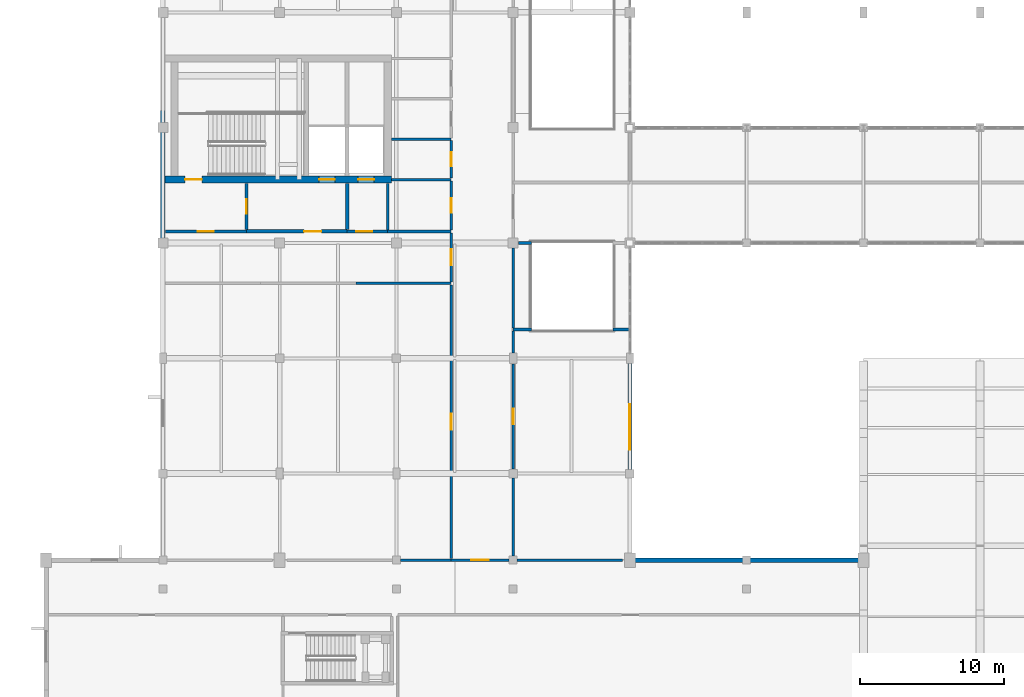
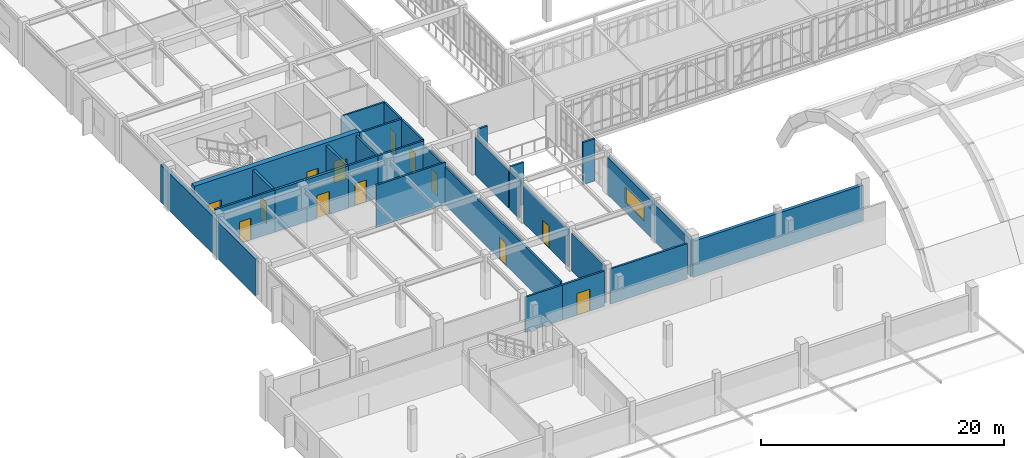
# One storey, part 48 of 67: 28 walls, 13 doors, 1 window, 14 openings.
"""IFC4 building model written with IfcOpenShell, lengths in metres."""

from ifc_helpers import new_model, si_unit, direction, frame, frame_2d, origin, place, context, subcontext, project, spatial, rectangle, extrude, material, layer, layer_set, type_object, element, fill, save


model = new_model("IFC4")

# Units and contexts
model_context = context("Model", 3, precision=1e-05, world=origin(), true_north=direction((0.0, 1.0)))
body_context = subcontext(model_context, "Body", "Model", "MODEL_VIEW")
ifc_project = project(units=[si_unit("LENGTHUNIT", "METRE"), si_unit("AREAUNIT", "SQUARE_METRE"), si_unit("VOLUMEUNIT", "CUBIC_METRE"), si_unit("PLANEANGLEUNIT", "RADIAN"), si_unit("MASSUNIT", "GRAM", prefix="KILO")], contexts=[model_context])

# Site, building, storey
site_placement = place(None, origin())
site = spatial("IfcSite", under=ifc_project, at=site_placement, CompositionType="ELEMENT")
building_placement = place(site_placement, origin())
building = spatial("IfcBuilding", under=site, at=building_placement, Name="Tarnveldt Square Police Headquarters", CompositionType="ELEMENT")
storey_placement = place(building_placement, frame((0.0, 0.0, 10.199951171875)))
storey = spatial("IfcBuildingStorey", under=building, at=storey_placement, Name="L02", CompositionType="ELEMENT", Elevation=10.199951171875)

# Walls
ifc_material_1 = material(Name="Fire-rated Type X gypsum board on steel studs", Category="steel")
ifc_layer_1 = layer(ifc_material_1, 0.199951171875)
ifc_layer_set_1 = layer_set([ifc_layer_1], Name="Fire-rated Type X gypsum board on steel studs")
wall_type_1 = type_object("IfcWallType", Name="WL-ACOUST-200", PredefinedType="PARTITIONING", material=ifc_layer_set_1)
wall_1_placement = place(storey_placement, frame((40.5, 50.0, 0.0), z_axis=(0.0, 0.0, 1.0), x_axis=(1.0, 0.0, 0.0)))
element("IfcWall", 1, at=wall_1_placement, inside=storey, type_object=wall_type_1, Name="L02 Interior Partition Wall 0357", PredefinedType="PARTITIONING", context=body_context, shape_type="SweptSolid", body=[
    extrude(rectangle(XDim=1.2900390625, YDim=0.199951171875, at=frame_2d((0.64501953125, 0.0))), origin(), (0.0, 0.0, 1.0), 4.239990234375),
])
wall_2_placement = place(storey_placement, frame((47.409912109375, 50.0, 0.0), z_axis=(0.0, 0.0, 1.0), x_axis=(1.0, 0.0, 0.0)))
element("IfcWall", 2, at=wall_2_placement, inside=storey, type_object=wall_type_1, Name="L02 Interior Partition Wall 0358", PredefinedType="PARTITIONING", context=body_context, shape_type="SweptSolid", body=[
    extrude(rectangle(XDim=1.125, YDim=0.199951171875, at=frame_2d((0.5625, 0.0))), origin(), (0.0, 0.0, 1.0), 4.239990234375),
])

# Wall, openings, doors
ifc_material_2 = material(Name="Concrete 50 MPa", Category="concrete")
ifc_layer_2 = layer(ifc_material_2, 0.5)
ifc_layer_set_2 = layer_set([ifc_layer_2], Name="Concrete 50 MPa")
wall_type_2 = type_object("IfcWallType", Name="WL-CORE-500", PredefinedType="SHEAR", material=ifc_layer_set_2)
wall_3_placement = place(storey_placement, frame((16.360107421875, 60.39990234375, 0.0), z_axis=(0.0, 0.0, 1.0), x_axis=(1.0, 0.0, 0.0)))
wall_3 = element("IfcWall", 3, at=wall_3_placement, inside=storey, type_object=wall_type_2, Name="Core K1 South-West Command and Firefighting Core L02 South Shear Wall", PredefinedType="SHEAR", context=body_context, shape_type="SweptSolid", body=[
    extrude(rectangle(XDim=15.68994140625, YDim=0.5, at=frame_2d((7.844970703125, 0.0))), origin(), (0.0, 0.0, 1.0), 4.5),
])
opening_1_placement = place(wall_3_placement, frame((1.389892578125, 0.0, 0.0)))
opening_1 = element("IfcOpeningElement", 4, at=opening_1_placement, cuts=wall_3, Name="Opening D-ST1-L02", PredefinedType="OPENING", context=body_context, shape_type="SweptSolid", body=[
    extrude(rectangle(XDim=1.14990234375, YDim=2.25, at=frame_2d((0.574951171875, 1.125))), frame((0.0, 0.260009765625, 0.0), z_axis=(0.0, -1.0, 0.0), x_axis=(1.0, 0.0, 0.0)), (0.0, 0.0, 1.0), 0.52001953125),
])
opening_2_placement = place(wall_3_placement, frame((10.672607421875, 0.0, 0.0)))
opening_2 = element("IfcOpeningElement", 5, at=opening_2_placement, cuts=wall_3, Name="Opening LD-LF1-L02", PredefinedType="OPENING", context=body_context, shape_type="SweptSolid", body=[
    extrude(rectangle(XDim=1.10009765625, YDim=2.199951171875, at=frame_2d((0.550048828125, 1.10009765625))), frame((0.0, 0.260009765625, 0.0), z_axis=(0.0, -1.0, 0.0), x_axis=(1.0, 0.0, 0.0)), (0.0, 0.0, 1.0), 0.52001953125),
])
opening_3_placement = place(wall_3_placement, frame((13.387451171875, 0.0, 0.0)))
opening_3 = element("IfcOpeningElement", 6, at=opening_3_placement, cuts=wall_3, Name="Opening LD-LP1-L02", PredefinedType="OPENING", context=body_context, shape_type="SweptSolid", body=[
    extrude(rectangle(XDim=1.10009765625, YDim=2.199951171875, at=frame_2d((0.550048828125, 1.10009765625))), frame((0.0, 0.260009765625, 0.0), z_axis=(0.0, -1.0, 0.0), x_axis=(1.0, 0.0, 0.0)), (0.0, 0.0, 1.0), 0.52001953125),
])
ifc_material_3 = material(Name="Insulated hollow metal steel door leaf", Category="steel")
door_type_1 = type_object("IfcDoorType", Name="DR-FD90-1150", OperationType="NOTDEFINED", PredefinedType="DOOR", material=ifc_material_3)
door_1_placement = place(opening_1_placement, origin())
door_1 = element("IfcDoor", 7, at=door_1_placement, inside=storey, type_object=door_type_1, Name="Exit Stair ST1 L02 Fire Door", OperationType="SINGLE_SWING_RIGHT", OverallHeight=2.25, OverallWidth=1.14990234375, PredefinedType="DOOR", context=body_context, shape_type="SweptSolid", body=[
    extrude(rectangle(XDim=1.14990234375, YDim=2.25, at=frame_2d((0.574951171875, 1.125))), frame((0.0, 0.02490234375, 0.0), z_axis=(0.0, -1.0, 0.0), x_axis=(1.0, 0.0, 0.0)), (0.0, 0.0, 1.0), 0.050048828125),
])
fill(opening_1, door_1)
ifc_material_4 = material(Name="Steel 350W", Category="steel")
door_type_2 = type_object("IfcDoorType", Name="DR-LD-1100", OperationType="DOUBLE_DOOR_SLIDING", PredefinedType="DOOR", material=ifc_material_4)
door_2_placement = place(opening_2_placement, frame((1.10009765625, 0.0, 0.0), z_axis=(0.0, 0.0, 1.0), x_axis=(-1.0, 0.0, 0.0)))
door_2 = element("IfcDoor", 8, at=door_2_placement, inside=storey, type_object=door_type_2, Name="Elevator LF1 L02 Sliding Landing Door", OperationType="DOUBLE_DOOR_SLIDING", OverallHeight=2.199951171875, OverallWidth=1.10009765625, PredefinedType="DOOR", context=body_context, shape_type="SweptSolid", body=[
    extrude(rectangle(XDim=1.10009765625, YDim=2.199951171875, at=frame_2d((0.550048828125, 1.10009765625))), frame((0.0, 0.02490234375, 0.0), z_axis=(0.0, -1.0, 0.0), x_axis=(1.0, 0.0, 0.0)), (0.0, 0.0, 1.0), 0.050048828125),
])
fill(opening_2, door_2)
door_3_placement = place(opening_3_placement, frame((1.10009765625, 0.0, 0.0), z_axis=(0.0, 0.0, 1.0), x_axis=(-1.0, 0.0, 0.0)))
door_3 = element("IfcDoor", 9, at=door_3_placement, inside=storey, type_object=door_type_2, Name="Elevator LP1 L02 Sliding Landing Door", OperationType="DOUBLE_DOOR_SLIDING", OverallHeight=2.199951171875, OverallWidth=1.10009765625, PredefinedType="DOOR", context=body_context, shape_type="SweptSolid", body=[
    extrude(rectangle(XDim=1.10009765625, YDim=2.199951171875, at=frame_2d((0.550048828125, 1.10009765625))), frame((0.0, 0.02490234375, 0.0), z_axis=(0.0, -1.0, 0.0), x_axis=(1.0, 0.0, 0.0)), (0.0, 0.0, 1.0), 0.050048828125),
])
fill(opening_3, door_3)

# Walls
ifc_material_5 = material(Name="Concrete 40 MPa", Category="concrete")
ifc_layer_3 = layer(ifc_material_5, 0.320068359375)
ifc_layer_set_3 = layer_set([ifc_layer_3], Name="Concrete 40 MPa")
wall_type_3 = type_object("IfcWallType", Name="WL-EXT-BH320", PredefinedType="SOLIDWALL", material=ifc_layer_set_3)
wall_4_placement = place(storey_placement, frame((16.199951171875, 65.199951171875, 0.0), z_axis=(0.0, 0.0, 1.0), x_axis=(0.0, -1.0, 0.0)))
element("IfcWall", 10, at=wall_4_placement, inside=storey, type_object=wall_type_3, Name="L02 Brutalist Exterior Wall 0140", PredefinedType="SOLIDWALL", context=body_context, shape_type="SweptSolid", body=[
    extrude(rectangle(XDim=15.599853515625, YDim=0.320068359375, at=frame_2d((7.7998046875, 0.0))), origin(), (0.0, 0.0, 1.0), 3.73193359375),
])
ifc_material_6 = material(Name="Manganese ironspot clay brick masonry 20 MPa", Category="masonry")
ifc_layer_4 = layer(ifc_material_6, 0.300048828125)
ifc_layer_set_4 = layer_set([ifc_layer_4], Name="Manganese ironspot clay brick masonry 20 MPa")
wall_type_4 = type_object("IfcWallType", Name="WL-EXT-BRK300", PredefinedType="SOLIDWALL", material=ifc_layer_set_4)
wall_5_placement = place(storey_placement, frame((64.800048828125, 34.0, 0.0), z_axis=(0.0, 0.0, 1.0), x_axis=(-1.0, 0.0, 0.0)))
element("IfcWall", 11, at=wall_5_placement, inside=storey, type_object=wall_type_4, Name="L02 Brutalist Exterior Wall 0119", PredefinedType="SOLIDWALL", context=body_context, shape_type="SweptSolid", body=[
    extrude(rectangle(XDim=16.199951171875, YDim=0.300048828125, at=frame_2d((8.10009765625, 0.0))), origin(), (0.0, 0.0, 1.0), 3.6201171875),
])

# Wall, opening, window
wall_6_placement = place(storey_placement, frame((48.60009765625, 34.0, 0.0), z_axis=(0.0, 0.0, 1.0), x_axis=(0.0, 1.0, 0.0)))
wall_6 = element("IfcWall", 12, at=wall_6_placement, inside=storey, type_object=wall_type_4, Name="L02 Brutalist Exterior Wall 0120", PredefinedType="SOLIDWALL", context=body_context, shape_type="SweptSolid", body=[
    extrude(rectangle(XDim=13.820068359375, YDim=0.300048828125, at=frame_2d((6.91015625, 0.0))), origin(), (0.0, 0.0, 1.0), 3.73193359375),
])
opening_4_placement = place(wall_6_placement, frame((7.64990234375, 0.0, 0.949951171875)))
opening_4 = element("IfcOpeningElement", 13, at=opening_4_placement, cuts=wall_6, Name="Opening W18", PredefinedType="OPENING", context=body_context, shape_type="SweptSolid", body=[
    extrude(rectangle(XDim=3.14990234375, YDim=1.60009765625, at=frame_2d((1.574951171875, 0.800048828125))), frame((0.0, 0.159912109375, 0.0), z_axis=(0.0, -1.0, 0.0), x_axis=(1.0, 0.0, 0.0)), (0.0, 0.0, 1.0), 0.320068359375),
])
ifc_material_7 = material(Name="Triple-glazed low-e laminated vision glass", Category="glass")
window_type = type_object("IfcWindowType", Name="WIN-DR-315x160", PartitioningType="TRIPLE_PANEL_VERTICAL", PredefinedType="WINDOW", material=ifc_material_7)
window_placement = place(opening_4_placement, origin())
window = element("IfcWindow", 14, at=window_placement, inside=storey, type_object=window_type, Name="L02 Deep-Reveal Brutalist Window 0042", OverallHeight=1.60009765625, OverallWidth=3.14990234375, PartitioningType="TRIPLE_PANEL_VERTICAL", PredefinedType="WINDOW", context=body_context, shape_type="SweptSolid", body=[
    extrude(rectangle(XDim=3.14990234375, YDim=1.60009765625, at=frame_2d((1.574951171875, 0.800048828125))), frame((0.0, 0.030029296875, 0.0), z_axis=(0.0, -1.0, 0.0), x_axis=(1.0, 0.0, 0.0)), (0.0, 0.0, 1.0), 0.06005859375),
])
fill(opening_4, window)

# Walls
ifc_layer_5 = layer(ifc_material_1, 0.179931640625)
ifc_layer_set_5 = layer_set([ifc_layer_5], Name="Fire-rated Type X gypsum board on steel studs")
wall_type_5 = type_object("IfcWallType", Name="WL-FIRE-180", PredefinedType="PARTITIONING", material=ifc_layer_set_5)
wall_7_placement = place(storey_placement, frame((32.68310546875, 34.0, 0.0), z_axis=(0.0, 0.0, 1.0), x_axis=(1.0, 0.0, 0.0)))
element("IfcWall", 15, at=wall_7_placement, inside=storey, type_object=wall_type_5, Name="L02 Interior Partition Wall 0334", PredefinedType="PARTITIONING", context=body_context, shape_type="SweptSolid", body=[
    extrude(rectangle(XDim=3.516845703125, YDim=0.179931640625, at=frame_2d((1.75830078125, 0.0))), origin(), (0.0, 0.0, 1.0), 3.5439453125),
])
wall_8_placement = place(storey_placement, frame((29.58935546875, 53.199951171875, 0.0), z_axis=(0.0, 0.0, 1.0), x_axis=(1.0, 0.0, 0.0)))
element("IfcWall", 16, at=wall_8_placement, inside=storey, type_object=wall_type_5, Name="L02 Interior Partition Wall 0337", PredefinedType="PARTITIONING", context=body_context, shape_type="SweptSolid", body=[
    extrude(rectangle(XDim=6.610595703125, YDim=0.179931640625, at=frame_2d((3.30517578125, 0.0))), origin(), (0.0, 0.0, 1.0), 4.239990234375),
])

# Wall, opening, door
wall_9_placement = place(storey_placement, frame((16.367919921875, 56.800048828125, 0.0), z_axis=(0.0, 0.0, 1.0), x_axis=(1.0, 0.0, 0.0)))
wall_9 = element("IfcWall", 17, at=wall_9_placement, inside=storey, type_object=wall_type_5, Name="L02 Interior Partition Wall 0338", PredefinedType="PARTITIONING", context=body_context, shape_type="SweptSolid", body=[
    extrude(rectangle(XDim=5.632080078125, YDim=0.179931640625, at=frame_2d((2.81591796875, 0.0))), origin(), (0.0, 0.0, 1.0), 4.239990234375),
])
opening_5_placement = place(wall_9_placement, frame((2.26611328125, 0.0, 0.0)))
opening_5 = element("IfcOpeningElement", 18, at=opening_5_placement, cuts=wall_9, Name="Opening D15", PredefinedType="OPENING", context=body_context, shape_type="SweptSolid", body=[
    extrude(rectangle(XDim=1.10009765625, YDim=2.199951171875, at=frame_2d((0.550048828125, 1.10009765625))), frame((0.0, 0.099853515625, 0.0), z_axis=(0.0, -1.0, 0.0), x_axis=(1.0, 0.0, 0.0)), (0.0, 0.0, 1.0), 0.199951171875),
])
door_type_3 = type_object("IfcDoorType", Name="DR-FD60-1100", OperationType="NOTDEFINED", PredefinedType="DOOR", material=ifc_material_3)
door_4_placement = place(opening_5_placement, frame((1.10009765625, 0.0, 0.0), z_axis=(0.0, 0.0, 1.0), x_axis=(-1.0, 0.0, 0.0)))
door_4 = element("IfcDoor", 19, at=door_4_placement, inside=storey, type_object=door_type_3, Name="Core Stair Lobby K1-L02 Door", OperationType="SINGLE_SWING_RIGHT", OverallHeight=2.199951171875, OverallWidth=1.10009765625, PredefinedType="DOOR", context=body_context, shape_type="SweptSolid", body=[
    extrude(rectangle(XDim=1.10009765625, YDim=2.199951171875, at=frame_2d((0.550048828125, 1.10009765625))), frame((0.0, 0.02490234375, 0.0), z_axis=(0.0, -1.0, 0.0), x_axis=(1.0, 0.0, 0.0)), (0.0, 0.0, 1.0), 0.050048828125),
])
fill(opening_5, door_4)

wall_10_placement = place(storey_placement, frame((28.97509765625, 56.800048828125, 0.0), z_axis=(0.0, 0.0, 1.0), x_axis=(1.0, 0.0, 0.0)))
wall_10 = element("IfcWall", 20, at=wall_10_placement, inside=storey, type_object=wall_type_5, Name="L02 Interior Partition Wall 0346", PredefinedType="PARTITIONING", context=body_context, shape_type="SweptSolid", body=[
    extrude(rectangle(XDim=2.824951171875, YDim=0.179931640625, at=frame_2d((1.41259765625, 0.0))), origin(), (0.0, 0.0, 1.0), 4.239990234375),
])
opening_6_placement = place(wall_10_placement, frame((0.636474609375, 0.0, 0.0)))
opening_6 = element("IfcOpeningElement", 21, at=opening_6_placement, cuts=wall_10, Name="Opening D15", PredefinedType="OPENING", context=body_context, shape_type="SweptSolid", body=[
    extrude(rectangle(XDim=1.10009765625, YDim=2.199951171875, at=frame_2d((0.550048828125, 1.10009765625))), frame((0.0, 0.099853515625, 0.0), z_axis=(0.0, -1.0, 0.0), x_axis=(1.0, 0.0, 0.0)), (0.0, 0.0, 1.0), 0.199951171875),
])
door_5_placement = place(opening_6_placement, frame((1.10009765625, 0.0, 0.0), z_axis=(0.0, 0.0, 1.0), x_axis=(-1.0, 0.0, 0.0)))
door_5 = element("IfcDoor", 22, at=door_5_placement, inside=storey, type_object=door_type_3, Name="Passenger Lift Lobby K1-L02 Door", OperationType="SINGLE_SWING_LEFT", OverallHeight=2.199951171875, OverallWidth=1.10009765625, PredefinedType="DOOR", context=body_context, shape_type="SweptSolid", body=[
    extrude(rectangle(XDim=1.10009765625, YDim=2.199951171875, at=frame_2d((0.550048828125, 1.10009765625))), frame((0.0, 0.02490234375, 0.0), z_axis=(0.0, -1.0, 0.0), x_axis=(1.0, 0.0, 0.0)), (0.0, 0.0, 1.0), 0.050048828125),
])
fill(opening_6, door_5)

# Walls
wall_11_placement = place(storey_placement, frame((31.800048828125, 56.800048828125, 0.0), z_axis=(0.0, 0.0, 1.0), x_axis=(1.0, 0.0, 0.0)))
element("IfcWall", 23, at=wall_11_placement, inside=storey, type_object=wall_type_5, Name="L02 Interior Partition Wall 0349", PredefinedType="PARTITIONING", context=body_context, shape_type="SweptSolid", body=[
    extrude(rectangle(XDim=4.39990234375, YDim=0.179931640625, at=frame_2d((2.199951171875, 0.0))), origin(), (0.0, 0.0, 1.0), 4.239990234375),
])
wall_12_placement = place(storey_placement, frame((32.050048828125, 60.39990234375, 0.0), z_axis=(0.0, 0.0, 1.0), x_axis=(1.0, 0.0, 0.0)))
element("IfcWall", 24, at=wall_12_placement, inside=storey, type_object=wall_type_5, Name="L02 Interior Partition Wall 0350", PredefinedType="PARTITIONING", context=body_context, shape_type="SweptSolid", body=[
    extrude(rectangle(XDim=4.14990234375, YDim=0.179931640625, at=frame_2d((2.074951171875, 0.0))), origin(), (0.0, 0.0, 1.0), 4.239990234375),
])

# Wall, opening, door
wall_13_placement = place(storey_placement, frame((36.199951171875, 34.0, 0.0), z_axis=(0.0, 0.0, 1.0), x_axis=(1.0, 0.0, 0.0)))
wall_13 = element("IfcWall", 25, at=wall_13_placement, inside=storey, type_object=wall_type_5, Name="L02 Interior Partition Wall 0355", PredefinedType="PARTITIONING", context=body_context, shape_type="SweptSolid", body=[
    extrude(rectangle(XDim=4.01708984375, YDim=0.179931640625, at=frame_2d((2.008544921875, 0.0))), origin(), (0.0, 0.0, 1.0), 3.5439453125),
])
opening_7_placement = place(wall_13_placement, frame((1.408447265625, 0.0, 0.0)))
opening_7 = element("IfcOpeningElement", 26, at=opening_7_placement, cuts=wall_13, Name="Opening D16", PredefinedType="OPENING", context=body_context, shape_type="SweptSolid", body=[
    extrude(rectangle(XDim=1.199951171875, YDim=2.199951171875, at=frame_2d((0.60009765625, 1.10009765625))), frame((0.0, 0.099853515625, 0.0), z_axis=(0.0, -1.0, 0.0), x_axis=(1.0, 0.0, 0.0)), (0.0, 0.0, 1.0), 0.199951171875),
])
door_type_4 = type_object("IfcDoorType", Name="DR-FD60-1200", OperationType="NOTDEFINED", PredefinedType="DOOR", material=ifc_material_3)
door_6_placement = place(opening_7_placement, origin())
door_6 = element("IfcDoor", 27, at=door_6_placement, inside=storey, type_object=door_type_4, Name="Winter-Garden Gallery Corridor L02 Door", OperationType="SINGLE_SWING_LEFT", OverallHeight=2.199951171875, OverallWidth=1.199951171875, PredefinedType="DOOR", context=body_context, shape_type="SweptSolid", body=[
    extrude(rectangle(XDim=1.199951171875, YDim=2.199951171875, at=frame_2d((0.60009765625, 1.10009765625))), frame((0.0, 0.02490234375, 0.0), z_axis=(0.0, -1.0, 0.0), x_axis=(1.0, 0.0, 0.0)), (0.0, 0.0, 1.0), 0.050048828125),
])
fill(opening_7, door_6)

# Walls
wall_14_placement = place(storey_placement, frame((40.782958984375, 34.0, 0.0), z_axis=(0.0, 0.0, 1.0), x_axis=(1.0, 0.0, 0.0)))
element("IfcWall", 28, at=wall_14_placement, inside=storey, type_object=wall_type_5, Name="L02 Interior Partition Wall 0356", PredefinedType="PARTITIONING", context=body_context, shape_type="SweptSolid", body=[
    extrude(rectangle(XDim=7.30908203125, YDim=0.179931640625, at=frame_2d((3.654541015625, 0.0))), origin(), (0.0, 0.0, 1.0), 3.5439453125),
])
wall_15_placement = place(storey_placement, frame((40.85791015625, 56.0, 0.0), z_axis=(0.0, 0.0, 1.0), x_axis=(1.0, 0.0, 0.0)))
element("IfcWall", 29, at=wall_15_placement, inside=storey, type_object=wall_type_5, Name="L02 Interior Partition Wall 0359", PredefinedType="PARTITIONING", context=body_context, shape_type="SweptSolid", body=[
    extrude(rectangle(XDim=0.93212890625, YDim=0.179931640625, at=frame_2d((0.466064453125, 0.0))), origin(), (0.0, 0.0, 1.0), 4.239990234375),
])
wall_16_placement = place(storey_placement, frame((31.800048828125, 56.89794921875, 0.0), z_axis=(0.0, 0.0, 1.0), x_axis=(0.0, 1.0, 0.0)))
element("IfcWall", 30, at=wall_16_placement, inside=storey, type_object=wall_type_5, Name="L02 Interior Partition Wall 0384", PredefinedType="PARTITIONING", context=body_context, shape_type="SweptSolid", body=[
    extrude(rectangle(XDim=3.244140625, YDim=0.179931640625, at=frame_2d((1.6220703125, 0.0))), origin(), (0.0, 0.0, 1.0), 4.239990234375),
])

# Wall, opening, door
wall_17_placement = place(storey_placement, frame((36.199951171875, 34.097900390625, 0.0), z_axis=(0.0, 0.0, 1.0), x_axis=(0.0, 1.0, 0.0)))
wall_17 = element("IfcWall", 31, at=wall_17_placement, inside=storey, type_object=wall_type_5, Name="L02 Interior Partition Wall 0389", PredefinedType="PARTITIONING", context=body_context, shape_type="SweptSolid", body=[
    extrude(rectangle(XDim=19.004150390625, YDim=0.179931640625, at=frame_2d((9.501953125, 0.0))), origin(), (0.0, 0.0, 1.0), 3.824951171875),
])
opening_8_placement = place(wall_17_placement, frame((8.951904296875, 0.0, 0.0)))
opening_8 = element("IfcOpeningElement", 32, at=opening_8_placement, cuts=wall_17, Name="Opening D07", PredefinedType="OPENING", context=body_context, shape_type="SweptSolid", body=[
    extrude(rectangle(XDim=1.10009765625, YDim=2.199951171875, at=frame_2d((0.550048828125, 1.10009765625))), frame((0.0, 0.099853515625, 0.0), z_axis=(0.0, -1.0, 0.0), x_axis=(1.0, 0.0, 0.0)), (0.0, 0.0, 1.0), 0.199951171875),
])
ifc_material_8 = material(Name="Solid core architectural birch door leaf", Category="wood")
door_type_5 = type_object("IfcDoorType", Name="DR-INT-1100", OperationType="NOTDEFINED", PredefinedType="DOOR", material=ifc_material_8)
door_7_placement = place(opening_8_placement, origin())
door_7 = element("IfcDoor", 33, at=door_7_placement, inside=storey, type_object=door_type_5, Name="Central Division Detective Squad Room Door", OperationType="SINGLE_SWING_LEFT", OverallHeight=2.199951171875, OverallWidth=1.10009765625, PredefinedType="DOOR", context=body_context, shape_type="SweptSolid", body=[
    extrude(rectangle(XDim=1.10009765625, YDim=2.199951171875, at=frame_2d((0.550048828125, 1.10009765625))), frame((0.0, 0.02490234375, 0.0), z_axis=(0.0, -1.0, 0.0), x_axis=(1.0, 0.0, 0.0)), (0.0, 0.0, 1.0), 0.050048828125),
])
fill(opening_8, door_7)

wall_18_placement = place(storey_placement, frame((36.199951171875, 53.298095703125, 0.0), z_axis=(0.0, 0.0, 1.0), x_axis=(0.0, 1.0, 0.0)))
wall_18 = element("IfcWall", 34, at=wall_18_placement, inside=storey, type_object=wall_type_5, Name="L02 Interior Partition Wall 0390", PredefinedType="PARTITIONING", context=body_context, shape_type="SweptSolid", body=[
    extrude(rectangle(XDim=3.40380859375, YDim=0.179931640625, at=frame_2d((1.701904296875, 0.0))), origin(), (0.0, 0.0, 1.0), 3.824951171875),
])
opening_9_placement = place(wall_18_placement, frame((1.152099609375, 0.0, 0.0)))
opening_9 = element("IfcOpeningElement", 35, at=opening_9_placement, cuts=wall_18, Name="Opening D15", PredefinedType="OPENING", context=body_context, shape_type="SweptSolid", body=[
    extrude(rectangle(XDim=1.10009765625, YDim=2.199951171875, at=frame_2d((0.550048828125, 1.10009765625))), frame((0.0, 0.099853515625, 0.0), z_axis=(0.0, -1.0, 0.0), x_axis=(1.0, 0.0, 0.0)), (0.0, 0.0, 1.0), 0.199951171875),
])
door_8_placement = place(opening_9_placement, origin())
door_8 = element("IfcDoor", 36, at=door_8_placement, inside=storey, type_object=door_type_3, Name="Core K1 South Link Corridor L02 Door", OperationType="SINGLE_SWING_RIGHT", OverallHeight=2.199951171875, OverallWidth=1.10009765625, PredefinedType="DOOR", context=body_context, shape_type="SweptSolid", body=[
    extrude(rectangle(XDim=1.10009765625, YDim=2.199951171875, at=frame_2d((0.550048828125, 1.10009765625))), frame((0.0, 0.02490234375, 0.0), z_axis=(0.0, -1.0, 0.0), x_axis=(1.0, 0.0, 0.0)), (0.0, 0.0, 1.0), 0.050048828125),
])
fill(opening_9, door_8)

wall_19_placement = place(storey_placement, frame((36.199951171875, 56.89794921875, 0.0), z_axis=(0.0, 0.0, 1.0), x_axis=(0.0, 1.0, 0.0)))
wall_19 = element("IfcWall", 37, at=wall_19_placement, inside=storey, type_object=wall_type_5, Name="L02 Interior Partition Wall 0391", PredefinedType="PARTITIONING", context=body_context, shape_type="SweptSolid", body=[
    extrude(rectangle(XDim=3.404052734375, YDim=0.179931640625, at=frame_2d((1.7021484375, 0.0))), origin(), (0.0, 0.0, 1.0), 4.239990234375),
])
opening_10_placement = place(wall_19_placement, frame((1.201904296875, 0.0, 0.0)))
opening_10 = element("IfcOpeningElement", 38, at=opening_10_placement, cuts=wall_19, Name="Opening D14", PredefinedType="OPENING", context=body_context, shape_type="SweptSolid", body=[
    extrude(rectangle(XDim=1.0, YDim=2.14990234375, at=frame_2d((0.5, 1.074951171875))), frame((0.0, 0.099853515625, 0.0), z_axis=(0.0, -1.0, 0.0), x_axis=(1.0, 0.0, 0.0)), (0.0, 0.0, 1.0), 0.199951171875),
])
door_type_6 = type_object("IfcDoorType", Name="DR-FD60-1000", OperationType="NOTDEFINED", PredefinedType="DOOR", material=ifc_material_3)
door_9_placement = place(opening_10_placement, origin())
door_9 = element("IfcDoor", 39, at=door_9_placement, inside=storey, type_object=door_type_6, Name="Electrical Distribution Room L02 Door", OperationType="SINGLE_SWING_LEFT", OverallHeight=2.14990234375, OverallWidth=1.0, PredefinedType="DOOR", context=body_context, shape_type="SweptSolid", body=[
    extrude(rectangle(XDim=1.0, YDim=2.14990234375, at=frame_2d((0.5, 1.074951171875))), frame((0.0, 0.02490234375, 0.0), z_axis=(0.0, -1.0, 0.0), x_axis=(1.0, 0.0, 0.0)), (0.0, 0.0, 1.0), 0.050048828125),
])
fill(opening_10, door_9)

wall_20_placement = place(storey_placement, frame((36.199951171875, 60.498046875, 0.0), z_axis=(0.0, 0.0, 1.0), x_axis=(0.0, 1.0, 0.0)))
wall_20 = element("IfcWall", 40, at=wall_20_placement, inside=storey, type_object=wall_type_5, Name="L02 Interior Partition Wall 0392", PredefinedType="PARTITIONING", context=body_context, shape_type="SweptSolid", body=[
    extrude(rectangle(XDim=2.614013671875, YDim=0.179931640625, at=frame_2d((1.30712890625, 0.0))), origin(), (0.0, 0.0, 1.0), 4.239990234375),
])
opening_11_placement = place(wall_20_placement, frame((0.83203125, 0.0, 0.0)))
opening_11 = element("IfcOpeningElement", 41, at=opening_11_placement, cuts=wall_20, Name="Opening D02", PredefinedType="OPENING", context=body_context, shape_type="SweptSolid", body=[
    extrude(rectangle(XDim=0.949951171875, YDim=2.10009765625, at=frame_2d((0.47509765625, 1.050048828125))), frame((0.0, 0.099853515625, 0.0), z_axis=(0.0, -1.0, 0.0), x_axis=(1.0, 0.0, 0.0)), (0.0, 0.0, 1.0), 0.199951171875),
])
door_type_7 = type_object("IfcDoorType", Name="DR-WC-950", OperationType="NOTDEFINED", PredefinedType="DOOR", material=ifc_material_8)
door_10_placement = place(opening_11_placement, origin())
door_10 = element("IfcDoor", 42, at=door_10_placement, inside=storey, type_object=door_type_7, Name="Men Washroom L02 Door", OperationType="SINGLE_SWING_RIGHT", OverallHeight=2.10009765625, OverallWidth=0.949951171875, PredefinedType="DOOR", context=body_context, shape_type="SweptSolid", body=[
    extrude(rectangle(XDim=0.949951171875, YDim=2.10009765625, at=frame_2d((0.47509765625, 1.050048828125))), frame((0.0, 0.02490234375, 0.0), z_axis=(0.0, -1.0, 0.0), x_axis=(1.0, 0.0, 0.0)), (0.0, 0.0, 1.0), 0.050048828125),
])
fill(opening_11, door_10)

# Wall
wall_21_placement = place(storey_placement, frame((40.5, 34.282958984375, 0.0), z_axis=(0.0, 0.0, 1.0), x_axis=(0.0, 1.0, 0.0)))
element("IfcWall", 43, at=wall_21_placement, inside=storey, type_object=wall_type_5, Name="L02 Interior Partition Wall 0399", PredefinedType="PARTITIONING", context=body_context, shape_type="SweptSolid", body=[
    extrude(rectangle(XDim=5.408935546875, YDim=0.179931640625, at=frame_2d((2.70458984375, 0.0))), origin(), (0.0, 0.0, 1.0), 3.76904296875),
])

# Wall, opening, door
wall_22_placement = place(storey_placement, frame((40.5, 40.30810546875, 0.0), z_axis=(0.0, 0.0, 1.0), x_axis=(0.0, 1.0, 0.0)))
wall_22 = element("IfcWall", 44, at=wall_22_placement, inside=storey, type_object=wall_type_5, Name="L02 Interior Partition Wall 0400", PredefinedType="PARTITIONING", context=body_context, shape_type="SweptSolid", body=[
    extrude(rectangle(XDim=7.308837890625, YDim=0.179931640625, at=frame_2d((3.654296875, 0.0))), origin(), (0.0, 0.0, 1.0), 3.73193359375),
])
opening_12_placement = place(wall_22_placement, frame((3.1044921875, 0.0, 0.0)))
opening_12 = element("IfcOpeningElement", 45, at=opening_12_placement, cuts=wall_22, Name="Opening D07", PredefinedType="OPENING", context=body_context, shape_type="SweptSolid", body=[
    extrude(rectangle(XDim=1.10009765625, YDim=2.199951171875, at=frame_2d((0.550048828125, 1.10009765625))), frame((0.0, 0.099853515625, 0.0), z_axis=(0.0, -1.0, 0.0), x_axis=(1.0, 0.0, 0.0)), (0.0, 0.0, 1.0), 0.199951171875),
])
door_11_placement = place(opening_12_placement, frame((1.10009765625, 0.0, 0.0), z_axis=(0.0, 0.0, 1.0), x_axis=(-1.0, 0.0, 0.0)))
door_11 = element("IfcDoor", 46, at=door_11_placement, inside=storey, type_object=door_type_5, Name="Case Disclosure Records Office L02 Door", OperationType="SINGLE_SWING_LEFT", OverallHeight=2.199951171875, OverallWidth=1.10009765625, PredefinedType="DOOR", context=body_context, shape_type="SweptSolid", body=[
    extrude(rectangle(XDim=1.10009765625, YDim=2.199951171875, at=frame_2d((0.550048828125, 1.10009765625))), frame((0.0, 0.02490234375, 0.0), z_axis=(0.0, -1.0, 0.0), x_axis=(1.0, 0.0, 0.0)), (0.0, 0.0, 1.0), 0.050048828125),
])
fill(opening_12, door_11)

# Walls
wall_23_placement = place(storey_placement, frame((40.5, 48.383056640625, 0.0), z_axis=(0.0, 0.0, 1.0), x_axis=(0.0, 1.0, 0.0)))
element("IfcWall", 47, at=wall_23_placement, inside=storey, type_object=wall_type_5, Name="L02 Interior Partition Wall 0401", PredefinedType="PARTITIONING", context=body_context, shape_type="SweptSolid", body=[
    extrude(rectangle(XDim=1.509033203125, YDim=0.179931640625, at=frame_2d((0.75439453125, 0.0))), origin(), (0.0, 0.0, 1.0), 3.76904296875),
])
wall_24_placement = place(storey_placement, frame((40.5, 50.10791015625, 0.0), z_axis=(0.0, 0.0, 1.0), x_axis=(0.0, 1.0, 0.0)))
element("IfcWall", 48, at=wall_24_placement, inside=storey, type_object=wall_type_5, Name="L02 Interior Partition Wall 0402", PredefinedType="PARTITIONING", context=body_context, shape_type="SweptSolid", body=[
    extrude(rectangle(XDim=5.5341796875, YDim=0.179931640625, at=frame_2d((2.76708984375, 0.0))), origin(), (0.0, 0.0, 1.0), 3.76904296875),
])

# Wall, opening, door
ifc_material_9 = material(Name="Concrete block masonry 15 MPa", Category="masonry")
ifc_layer_6 = layer(ifc_material_9, 0.239990234375)
ifc_layer_set_6 = layer_set([ifc_layer_6], Name="Concrete block masonry 15 MPa")
wall_type_6 = type_object("IfcWallType", Name="WL-FIRE-240", PredefinedType="PARTITIONING", material=ifc_layer_set_6)
wall_25_placement = place(storey_placement, frame((22.0, 56.800048828125, 0.0), z_axis=(0.0, 0.0, 1.0), x_axis=(1.0, 0.0, 0.0)))
wall_25 = element("IfcWall", 49, at=wall_25_placement, inside=storey, type_object=wall_type_6, Name="L02 Interior Partition Wall 0344", PredefinedType="PARTITIONING", context=body_context, shape_type="SweptSolid", body=[
    extrude(rectangle(XDim=6.97509765625, YDim=0.239990234375, at=frame_2d((3.487548828125, 0.0))), origin(), (0.0, 0.0, 1.0), 4.239990234375),
])
opening_13_placement = place(wall_25_placement, frame((4.00341796875, 0.0, 0.0)))
opening_13 = element("IfcOpeningElement", 50, at=opening_13_placement, cuts=wall_25, Name="Opening D20", PredefinedType="OPENING", context=body_context, shape_type="SweptSolid", body=[
    extrude(rectangle(XDim=1.199951171875, YDim=2.300048828125, at=frame_2d((0.60009765625, 1.14990234375))), frame((0.0, 0.1298828125, 0.0), z_axis=(0.0, -1.0, 0.0), x_axis=(1.0, 0.0, 0.0)), (0.0, 0.0, 1.0), 0.260009765625),
])
door_type_8 = type_object("IfcDoorType", Name="DR-FD90-1200", OperationType="NOTDEFINED", PredefinedType="DOOR", material=ifc_material_3)
door_12_placement = place(opening_13_placement, frame((1.199951171875, 0.0, 0.0), z_axis=(0.0, 0.0, 1.0), x_axis=(-1.0, 0.0, 0.0)))
door_12 = element("IfcDoor", 51, at=door_12_placement, inside=storey, type_object=door_type_8, Name="Firefighting Lift Lobby K1-L02 Door", OperationType="SINGLE_SWING_LEFT", OverallHeight=2.300048828125, OverallWidth=1.199951171875, PredefinedType="DOOR", context=body_context, shape_type="SweptSolid", body=[
    extrude(rectangle(XDim=1.199951171875, YDim=2.300048828125, at=frame_2d((0.60009765625, 1.14990234375))), frame((0.0, 0.02490234375, 0.0), z_axis=(0.0, -1.0, 0.0), x_axis=(1.0, 0.0, 0.0)), (0.0, 0.0, 1.0), 0.050048828125),
])
fill(opening_13, door_12)

wall_26_placement = place(storey_placement, frame((22.0, 56.927978515625, 0.0), z_axis=(0.0, 0.0, 1.0), x_axis=(0.0, 1.0, 0.0)))
wall_26 = element("IfcWall", 52, at=wall_26_placement, inside=storey, type_object=wall_type_6, Name="L02 Interior Partition Wall 0378", PredefinedType="PARTITIONING", context=body_context, shape_type="SweptSolid", body=[
    extrude(rectangle(XDim=3.214111328125, YDim=0.239990234375, at=frame_2d((1.60693359375, 0.0))), origin(), (0.0, 0.0, 1.0), 4.239990234375),
])
opening_14_placement = place(wall_26_placement, frame((1.10693359375, 0.0, 0.0)))
opening_14 = element("IfcOpeningElement", 53, at=opening_14_placement, cuts=wall_26, Name="Opening D17", PredefinedType="OPENING", context=body_context, shape_type="SweptSolid", body=[
    extrude(rectangle(XDim=1.0, YDim=2.199951171875, at=frame_2d((0.5, 1.10009765625))), frame((0.0, 0.1298828125, 0.0), z_axis=(0.0, -1.0, 0.0), x_axis=(1.0, 0.0, 0.0)), (0.0, 0.0, 1.0), 0.260009765625),
])
door_type_9 = type_object("IfcDoorType", Name="DR-FD90-1000", OperationType="NOTDEFINED", PredefinedType="DOOR", material=ifc_material_3)
door_13_placement = place(opening_14_placement, origin())
door_13 = element("IfcDoor", 54, at=door_13_placement, inside=storey, type_object=door_type_9, Name="Firefighting Lift Lobby K1-L02 Secondary Door", OperationType="SINGLE_SWING_RIGHT", OverallHeight=2.199951171875, OverallWidth=1.0, PredefinedType="DOOR", context=body_context, shape_type="SweptSolid", body=[
    extrude(rectangle(XDim=1.0, YDim=2.199951171875, at=frame_2d((0.5, 1.10009765625))), frame((0.0, 0.02490234375, 0.0), z_axis=(0.0, -1.0, 0.0), x_axis=(1.0, 0.0, 0.0)), (0.0, 0.0, 1.0), 0.050048828125),
])
fill(opening_14, door_13)

# Walls
wall_27_placement = place(storey_placement, frame((28.97509765625, 56.927978515625, 0.0), z_axis=(0.0, 0.0, 1.0), x_axis=(0.0, 1.0, 0.0)))
element("IfcWall", 55, at=wall_27_placement, inside=storey, type_object=wall_type_6, Name="L02 Interior Partition Wall 0381", PredefinedType="PARTITIONING", context=body_context, shape_type="SweptSolid", body=[
    extrude(rectangle(XDim=3.214111328125, YDim=0.239990234375, at=frame_2d((1.60693359375, 0.0))), origin(), (0.0, 0.0, 1.0), 4.239990234375),
])
ifc_layer_7 = layer(ifc_material_9, 0.159912109375)
ifc_layer_set_7 = layer_set([ifc_layer_7], Name="Concrete block masonry 15 MPa")
wall_type_7 = type_object("IfcWallType", Name="WL-WET-160", PredefinedType="PARTITIONING", material=ifc_layer_set_7)
wall_28_placement = place(storey_placement, frame((32.05810546875, 63.199951171875, 0.0), z_axis=(0.0, 0.0, 1.0), x_axis=(1.0, 0.0, 0.0)))
element("IfcWall", 56, at=wall_28_placement, inside=storey, type_object=wall_type_7, Name="L02 Interior Partition Wall 0351", PredefinedType="PARTITIONING", context=body_context, shape_type="SweptSolid", body=[
    extrude(rectangle(XDim=4.141845703125, YDim=0.159912109375, at=frame_2d((2.07080078125, 0.0))), origin(), (0.0, 0.0, 1.0), 4.239990234375),
])

save(model, "model.ifc")
